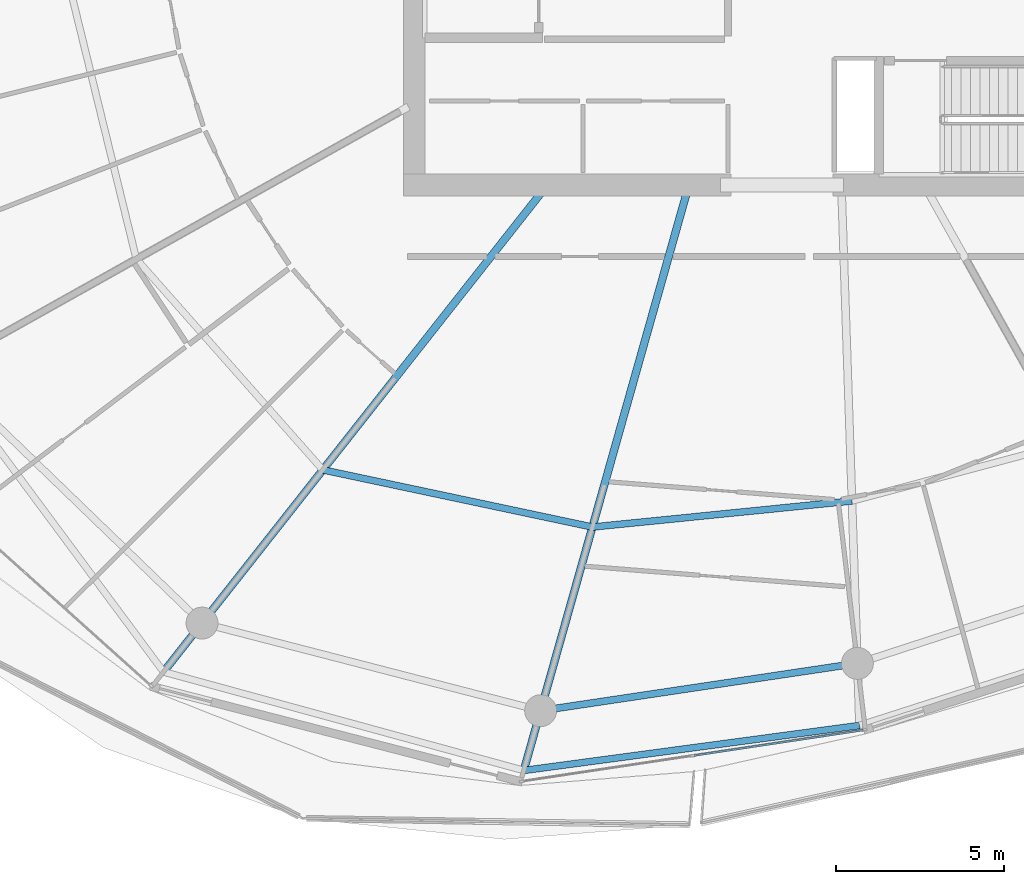
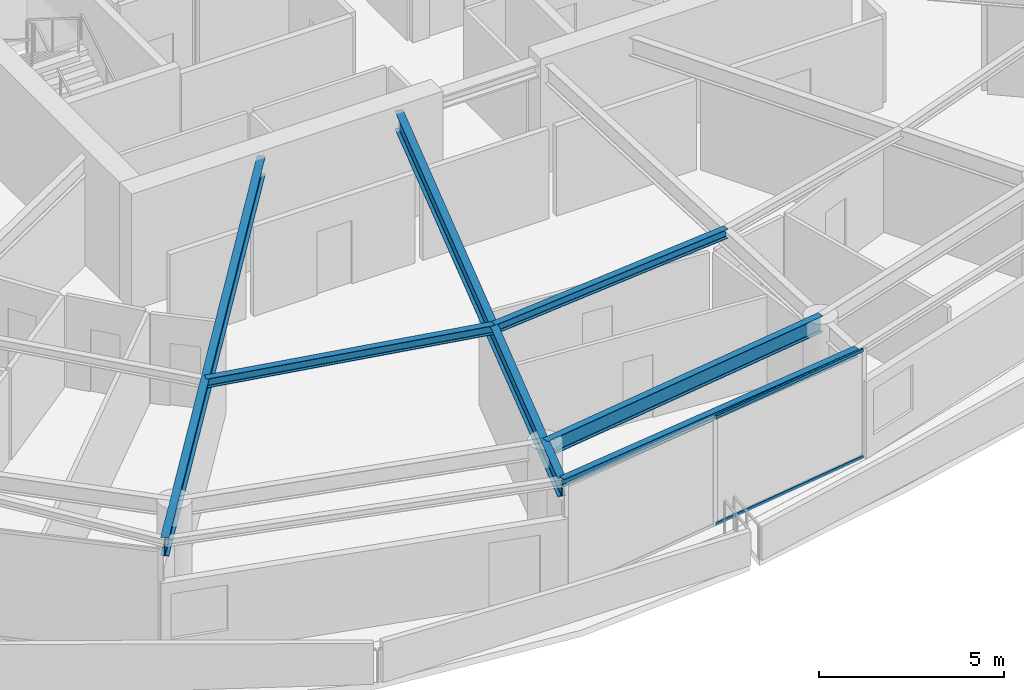
# One storey, part 6 of 29: 6 beams, 2 members, 1 element without a shape of its own.
"""IFC4 building model written with IfcOpenShell, lengths in metres."""

import ifcopenshell
import ifcopenshell.guid

model = None  # the IFC model being written
_history = None  # IfcOwnerHistory: only IFC2X3 demands one
_inside = {}  # id of a spatial element -> (the spatial element, [elements in it])
_under = {}  # id of a project, library or spatial element -> (it, [spatial elements below it])
_declared = {}  # id of a project -> (the project, [libraries it declares])
_typed = {}  # id of a type object -> (the type object, [elements of that type])
_made_of = {}  # id of a material, layer set ... -> (it, [elements and type objects made of it])


def new_model(schema):
    """Start an empty IFC model of exactly this schema.

    Asked for "IFC4X3", IfcOpenShell would pick the latest addendum, in which some entities
    have other attributes; the version numbers below select the first issue.
    IFC2X3 requires an IfcOwnerHistory on every rooted entity: one is made here for all.
    """
    global model, _history
    if schema == "IFC4X3":
        model = ifcopenshell.file(schema_version=(4, 3, 0, 0))
    else:
        model = ifcopenshell.file(schema=schema)
    _inside.clear()
    _under.clear()
    _declared.clear()
    _typed.clear()
    _made_of.clear()
    _history = None
    if model.schema == "IFC2X3":
        org = make("IfcOrganization", Name="unknown")
        user = make(
            "IfcPersonAndOrganization",
            ThePerson=make("IfcPerson", FamilyName="unknown"),
            TheOrganization=org,
        )
        app = make(
            "IfcApplication",
            ApplicationDeveloper=org,
            Version="unknown",
            ApplicationFullName="unknown",
            ApplicationIdentifier="unknown",
        )
        _history = make(
            "IfcOwnerHistory",
            OwningUser=user,
            OwningApplication=app,
            ChangeAction="ADDED",
            CreationDate=0,
        )
    return model


def make(cls, **values):
    """One entity of the class cls with the attributes given. An attribute that is None is left unset."""
    return model.create_entity(
        cls, **{name: value for name, value in values.items() if value is not None}
    )


def rooted(cls, **values):
    """An entity with a GlobalId (a new one), such as an element, a storey or a relation."""
    return make(cls, GlobalId=ifcopenshell.guid.new(), OwnerHistory=_history, **values)


def si_unit(unit_type, name, prefix=None):
    """IfcSIUnit, for example si_unit("LENGTHUNIT", "METRE", prefix="MILLI")."""
    return make("IfcSIUnit", UnitType=unit_type, Prefix=prefix, Name=name)


def assignment(units):
    """IfcUnitAssignment: the units of a project."""
    return None if units is None else make("IfcUnitAssignment", Units=units)


def point(xyz):
    """IfcCartesianPoint."""
    return None if xyz is None else make("IfcCartesianPoint", Coordinates=xyz)


def direction(xyz):
    """IfcDirection."""
    return None if xyz is None else make("IfcDirection", DirectionRatios=xyz)


def frame(location, z_axis=None, x_axis=None):
    """IfcAxis2Placement3D, a coordinate frame: its origin and axes. An axis left out is left unset."""
    return make(
        "IfcAxis2Placement3D",
        Location=point(location),
        Axis=direction(z_axis),
        RefDirection=direction(x_axis),
    )


def frame_2d(location, x_axis=None):
    """IfcAxis2Placement2D, a coordinate frame in the plane: its origin and x axis."""
    return make(
        "IfcAxis2Placement2D", Location=point(location), RefDirection=direction(x_axis)
    )


def origin():
    """The frame at (0, 0, 0) with its axes left unset."""
    return frame((0.0, 0.0, 0.0))


def origin_2d():
    """The frame at (0, 0) in the plane with its x axis left unset."""
    return frame_2d((0.0, 0.0))


def place(relative_to, where):
    """IfcLocalPlacement: puts the frame where relative to a parent placement (None: the world)."""
    return make(
        "IfcLocalPlacement", PlacementRelTo=relative_to, RelativePlacement=where
    )


def context(
    kind, dimensions, precision=None, world=None, true_north=None, identifier=None
):
    """IfcGeometricRepresentationContext, for example the 3D "Model" context."""
    return make(
        "IfcGeometricRepresentationContext",
        ContextIdentifier=identifier,
        ContextType=kind,
        CoordinateSpaceDimension=dimensions,
        Precision=precision,
        WorldCoordinateSystem=world,
        TrueNorth=true_north,
    )


def subcontext(parent, identifier, kind, view, scale=None):
    """IfcGeometricRepresentationSubContext, for example "Body" below "Model"."""
    return make(
        "IfcGeometricRepresentationSubContext",
        ContextIdentifier=identifier,
        ContextType=kind,
        ParentContext=parent,
        TargetScale=scale,
        TargetView=view,
    )


def project(units=None, contexts=None):
    """IfcProject with its units and contexts."""
    return rooted(
        "IfcProject",
        Name="project",
        RepresentationContexts=contexts,
        UnitsInContext=assignment(units),
    )


def spatial(cls, under=None, at=None, **own):
    """A site, building, storey or space (cls), placed at a placement, below another one or the project."""
    s = rooted(cls, ObjectPlacement=at, **own)
    if under is not None:
        _under.setdefault(under.id(), (under, []))[1].append(s)
    return s


def profile(cls, at=None, kind="AREA", **sizes):
    """A parametric profile (cls). Its sizes go by their IFC names, for example OverallWidth=200.0."""
    return make(cls, ProfileType=kind, Position=at, **sizes)


def rectangle(**sizes):
    """IfcRectangleProfileDef."""
    return profile("IfcRectangleProfileDef", **sizes)


def i_section(**sizes):
    """IfcIShapeProfileDef."""
    return profile("IfcIShapeProfileDef", **sizes)


def extrude(swept, where, along, depth):
    """IfcExtrudedAreaSolid: the profile swept, set in the frame where, extruded along a direction by depth."""
    return make(
        "IfcExtrudedAreaSolid",
        SweptArea=swept,
        Position=where,
        ExtrudedDirection=direction(along),
        Depth=depth,
    )


def shape(context_of_items, identifier, shape_type, items):
    """IfcShapeRepresentation: the items that make up one representation, for example the "Body"."""
    return make(
        "IfcShapeRepresentation",
        ContextOfItems=context_of_items,
        RepresentationIdentifier=identifier,
        RepresentationType=shape_type,
        Items=items,
    )


def material(Name=None, Category=None):
    """IfcMaterial."""
    return make("IfcMaterial", Name=Name, Category=Category)


def layer(
    of_material, thickness, ventilated=None, Name=None, Category=None, Priority=None
):
    """IfcMaterialLayer: one layer of a wall or slab, of a material (None: an air gap)."""
    return make(
        "IfcMaterialLayer",
        Material=of_material,
        LayerThickness=thickness,
        IsVentilated=ventilated,
        Name=Name,
        Category=Category,
        Priority=Priority,
    )


def layer_set(layers, Name=None):
    """IfcMaterialLayerSet."""
    return make("IfcMaterialLayerSet", MaterialLayers=layers, LayerSetName=Name)


def material_profile(
    of_material, cross_section, Name=None, Category=None, Priority=None
):
    """IfcMaterialProfile: a cross section and its material."""
    return make(
        "IfcMaterialProfile",
        Name=Name,
        Material=of_material,
        Profile=cross_section,
        Priority=Priority,
        Category=Category,
    )


def profile_set(profiles, Name=None, composite=None):
    """IfcMaterialProfileSet."""
    return make(
        "IfcMaterialProfileSet",
        Name=Name,
        MaterialProfiles=profiles,
        CompositeProfile=composite,
    )


def made_of(thing, what):
    """Note that an element or type object is made of a material, layer set ...; save() writes the relation."""
    if what is not None:
        _made_of.setdefault(what.id(), (what, []))[1].append(thing)
    return thing


def type_object(cls, material=None, **own):
    """A type object (cls), such as IfcWallType, which elements share."""
    return made_of(rooted(cls, **own), material)


def element(
    cls,
    number,
    at=None,
    inside=None,
    cuts=None,
    type_object=None,
    material=None,
    context=None,
    identifier="Body",
    shape_type=None,
    held_by="IfcProductDefinitionShape",
    body=None,
    shapes=None,
    **own,
):
    """One element of the class cls, such as IfcWall. Its Tag is "e" and its number.

    at: its placement. inside: the storey or other place that contains it. cuts: it is an
    opening in that element (IfcRelVoidsElement). A single representation is given by context,
    identifier, shape_type and body (its items); several are given by shapes. held_by: the class
    of the entity that holds the representations. save() writes the other relations.
    """
    e = rooted(cls, Tag="e%d" % number, ObjectPlacement=at, **own)
    if body is not None:
        shapes = [shape(context, identifier, shape_type, body)]
    if shapes is not None:
        e.Representation = make(held_by, Representations=shapes)
    if inside is not None:
        _inside.setdefault(inside.id(), (inside, []))[1].append(e)
    if cuts is not None:
        rooted(
            "IfcRelVoidsElement", RelatingBuildingElement=cuts, RelatedOpeningElement=e
        )
    if type_object is not None:
        _typed.setdefault(type_object.id(), (type_object, []))[1].append(e)
    return made_of(e, material)


def aggregate(whole, parts):
    """IfcRelAggregates: a whole, such as a stair, and the parts it consists of."""
    return rooted("IfcRelAggregates", RelatingObject=whole, RelatedObjects=parts)


def save(model, path):
    """Write the relations noted so far, then the file.

    IfcRelAggregates (storeys below a building ...), IfcRelContainedInSpatialStructure (elements
    in a storey), IfcRelDefinesByType, IfcRelAssociatesMaterial and IfcRelDeclares: one each for
    every whole, place, type object, material and project.
    """
    for whole, parts in _under.values():
        aggregate(whole, parts)
    for where, things in _inside.values():
        rooted(
            "IfcRelContainedInSpatialStructure",
            RelatedElements=things,
            RelatingStructure=where,
        )
    for kind, things in _typed.values():
        rooted("IfcRelDefinesByType", RelatedObjects=things, RelatingType=kind)
    for what, things in _made_of.values():
        rooted("IfcRelAssociatesMaterial", RelatedObjects=things, RelatingMaterial=what)
    for by, libraries in _declared.values():
        rooted("IfcRelDeclares", RelatingContext=by, RelatedDefinitions=libraries)
    model.write(path)


model = new_model("IFC4")

# Units and contexts
model_context = context("Model", 3, precision=1e-05, world=origin(), true_north=direction((0.0, 1.0)))
body_context = subcontext(model_context, "Body", "Model", "MODEL_VIEW")
ifc_project = project(units=[si_unit("LENGTHUNIT", "METRE"), si_unit("AREAUNIT", "SQUARE_METRE"), si_unit("VOLUMEUNIT", "CUBIC_METRE"), si_unit("PLANEANGLEUNIT", "RADIAN"), si_unit("MASSUNIT", "GRAM", prefix="KILO")], contexts=[model_context])

# Site, building, storey
site_placement = place(None, origin())
site = spatial("IfcSite", under=ifc_project, at=site_placement, CompositionType="ELEMENT")
building_placement = place(site_placement, origin())
building = spatial("IfcBuilding", under=site, at=building_placement, Name="Kazma Halo Residences", CompositionType="ELEMENT")
storey_placement = place(building_placement, frame((0.0, 0.0, 252.10009765625)))
storey = spatial("IfcBuildingStorey", under=building, at=storey_placement, Name="L63", CompositionType="ELEMENT", Elevation=252.10009765625)

# Beams
ifc_material_1 = material(Name="Steel S355", Category="steel")
ifc_material_profile_1 = material_profile(ifc_material_1, i_section(OverallWidth=0.201904296875, OverallDepth=0.2470703125, WebThickness=0.00732421875, FlangeThickness=0.010986328125, FilletRadius=0.011962890625, at=origin_2d()), Name="W250x49.1")
ifc_profile_set_1 = profile_set([ifc_material_profile_1], Name="Steel S355")
beam_type_1 = type_object("IfcBeamType", Name="BM-BAL-CANT", PredefinedType="BEAM", material=ifc_profile_set_1)
beam_1_placement = place(storey_placement, frame((40.73486328125, 16.239990234375, 3.46630859375), z_axis=(0.991137416918, 0.132840584106, 0.0), x_axis=(-0.132840584106, 0.991137416918, 0.0)))
element("IfcBeam", 1, at=beam_1_placement, inside=storey, type_object=beam_type_1, Name="L63 wave-balcony tie beam 11", PredefinedType="BEAM", context=body_context, shape_type="SweptSolid", body=[
    extrude(i_section(OverallWidth=0.201904296875, OverallDepth=0.2470703125, WebThickness=0.00732421875, FlangeThickness=0.010986328125, FilletRadius=0.011962890625, at=origin_2d()), origin(), (0.0, 0.0, 1.0), 10.087890625),
])
ifc_material_profile_2 = material_profile(ifc_material_1, i_section(OverallWidth=0.22802734375, OverallDepth=0.60791015625, WebThickness=0.01123046875, FlangeThickness=0.017333984375, FilletRadius=0.01806640625, at=origin_2d()), Name="W610x113")
ifc_profile_set_2 = profile_set([ifc_material_profile_2], Name="Steel S355")
beam_type_2 = type_object("IfcBeamType", Name="BM-RAD-W610", PredefinedType="BEAM", material=ifc_profile_set_2)
beam_2_placement = place(storey_placement, frame((41.299072265625, 33.5, 3.285888671875), z_axis=(-0.6190864347, -0.785322854863, 0.0), x_axis=(0.785322854863, -0.6190864347, 0.0)))
element("IfcBeam", 2, at=beam_2_placement, inside=storey, type_object=beam_type_2, Name="L63 radial floor beam 10", PredefinedType="BEAM", context=body_context, shape_type="SweptSolid", body=[
    extrude(i_section(OverallWidth=0.22802734375, OverallDepth=0.60791015625, WebThickness=0.01123046875, FlangeThickness=0.017333984375, FilletRadius=0.01806640625, at=origin_2d()), origin(), (0.0, 0.0, 1.0), 18.239013671875),
])
beam_3_placement = place(storey_placement, frame((45.602783203125, 33.5, 3.285888671875), z_axis=(-0.271445290974, -0.962453871107, 0.0), x_axis=(0.962453871107, -0.271445290974, 0.0)))
element("IfcBeam", 3, at=beam_3_placement, inside=storey, type_object=beam_type_2, Name="L63 radial floor beam 11", PredefinedType="BEAM", context=body_context, shape_type="SweptSolid", body=[
    extrude(i_section(OverallWidth=0.22802734375, OverallDepth=0.60791015625, WebThickness=0.01123046875, FlangeThickness=0.017333984375, FilletRadius=0.01806640625, at=origin_2d()), origin(), (0.0, 0.0, 1.0), 17.933349609375),
])
ifc_material_profile_3 = material_profile(ifc_material_1, i_section(OverallWidth=0.202880859375, OverallDepth=0.302978515625, WebThickness=0.007568359375, FlangeThickness=0.01318359375, FilletRadius=0.013916015625, at=origin_2d()), Name="W310x60")
ifc_profile_set_3 = profile_set([ifc_material_profile_3], Name="Steel S355")
beam_type_3 = type_object("IfcBeamType", Name="BM-SEC-W310A", PredefinedType="JOIST", material=ifc_profile_set_3)
beam_4_placement = place(storey_placement, frame((34.75, 25.1923828125, 3.4384765625), z_axis=(0.978235588777, -0.207497308055, 0.0), x_axis=(0.207497308055, 0.978235588777, 0.0)))
element("IfcBeam", 4, at=beam_4_placement, inside=storey, type_object=beam_type_3, Name="L63 circumferential floor joist 10", PredefinedType="JOIST", context=body_context, shape_type="SweptSolid", body=[
    extrude(i_section(OverallWidth=0.202880859375, OverallDepth=0.302978515625, WebThickness=0.007568359375, FlangeThickness=0.01318359375, FilletRadius=0.013916015625, at=origin_2d()), origin(), (0.0, 0.0, 1.0), 8.2080078125),
])
beam_5_placement = place(storey_placement, frame((42.779296875, 23.4892578125, 3.4384765625), z_axis=(0.994981653225, 0.10005753218, 0.0), x_axis=(-0.10005753218, 0.994981653225, 0.0)))
element("IfcBeam", 5, at=beam_5_placement, inside=storey, type_object=beam_type_3, Name="L63 circumferential floor joist 11", PredefinedType="JOIST", context=body_context, shape_type="SweptSolid", body=[
    extrude(i_section(OverallWidth=0.202880859375, OverallDepth=0.302978515625, WebThickness=0.007568359375, FlangeThickness=0.01318359375, FilletRadius=0.013916015625, at=origin_2d()), origin(), (0.0, 0.0, 1.0), 7.76904296875),
])
ifc_material_profile_4 = material_profile(ifc_material_1, i_section(OverallWidth=0.208984375, OverallDepth=0.532958984375, WebThickness=0.01025390625, FlangeThickness=0.015625, FilletRadius=0.01611328125, at=origin_2d()), Name="W530x92")
ifc_profile_set_4 = profile_set([ifc_material_profile_4], Name="Steel S355")
beam_type_4 = type_object("IfcBeamType", Name="BM-SPN-W530", PredefinedType="BEAM", material=ifc_profile_set_4)
beam_6_placement = place(storey_placement, frame((41.237060546875, 18.0205078125, 3.323486328125), z_axis=(0.989035441627, 0.147678350495, 0.0), x_axis=(-0.147678350495, 0.989035441627, 0.0)))
element("IfcBeam", 6, at=beam_6_placement, inside=storey, type_object=beam_type_4, Name="L63 perimeter ring beam 11", PredefinedType="BEAM", context=body_context, shape_type="SweptSolid", body=[
    extrude(i_section(OverallWidth=0.208984375, OverallDepth=0.532958984375, WebThickness=0.01025390625, FlangeThickness=0.015625, FilletRadius=0.01611328125, at=origin_2d()), origin(), (0.0, 0.0, 1.0), 9.538818359375),
])

# Curtain wall, members
ifc_material_2 = material(Name="Aluminium AW-6063 T6 and Triple-Silver Low-E Glass", Category="aluminium")
ifc_layer = layer(ifc_material_2, 0.139892578125)
ifc_layer_set = layer_set([ifc_layer], Name="Aluminium AW-6063 T6 and Triple-Silver Low-E Glass")
curtain_wall_type = type_object("IfcCurtainWallType", Name="CW-SYS-5", PredefinedType="NOTDEFINED", material=ifc_layer_set)
curtain_wall_placement = place(storey_placement, origin())
curtain_wall = element("IfcCurtainWall", 7, at=curtain_wall_placement, inside=storey, type_object=curtain_wall_type, Name="L63 unitised curtain wall B11", PredefinedType="NOTDEFINED")
ifc_material_3 = material(Name="Aluminium AW-6063 T6", Category="aluminium")
ifc_material_profile_5 = material_profile(ifc_material_3, rectangle(XDim=0.06005859375, YDim=0.10498046875, at=origin_2d()), Name="CWT-60x105")
ifc_profile_set_5 = profile_set([ifc_material_profile_5], Name="Aluminium AW-6063 T6")
member_type = type_object("IfcMemberType", Name="CW-SYS-5-TRN", PredefinedType="USERDEFINED", material=ifc_profile_set_5)
member_1_placement = place(storey_placement, frame((45.80322265625, 16.6845703125, 0.02978515625), z_axis=(0.988882913569, 0.148696278541, 0.0), x_axis=(-0.148696278541, 0.988882913569, 0.0)))
member_1 = element("IfcMember", 8, at=member_1_placement, type_object=member_type, Name="CWS-5 transom 2.1", ObjectType="TRANSOM", PredefinedType="USERDEFINED", context=body_context, shape_type="SweptSolid", body=[
    extrude(rectangle(XDim=0.06005859375, YDim=0.10498046875, at=origin_2d()), origin(), (0.0, 0.0, 1.0), 5.099609375),
])
member_2_placement = place(storey_placement, frame((45.80322265625, 16.6845703125, 3.559814453125), z_axis=(0.988882913569, 0.148696278541, 0.0), x_axis=(-0.148696278541, 0.988882913569, 0.0)))
member_2 = element("IfcMember", 9, at=member_2_placement, type_object=member_type, Name="CWS-5 transom 2.2", ObjectType="TRANSOM", PredefinedType="USERDEFINED", context=body_context, shape_type="SweptSolid", body=[
    extrude(rectangle(XDim=0.06005859375, YDim=0.10498046875, at=origin_2d()), origin(), (0.0, 0.0, 1.0), 5.099609375),
])
aggregate(curtain_wall, [member_1, member_2])

save(model, "model.ifc")
